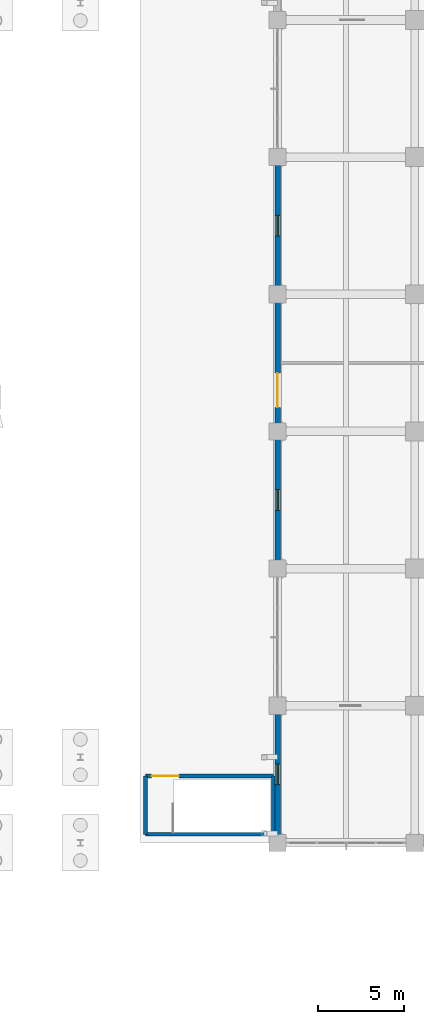
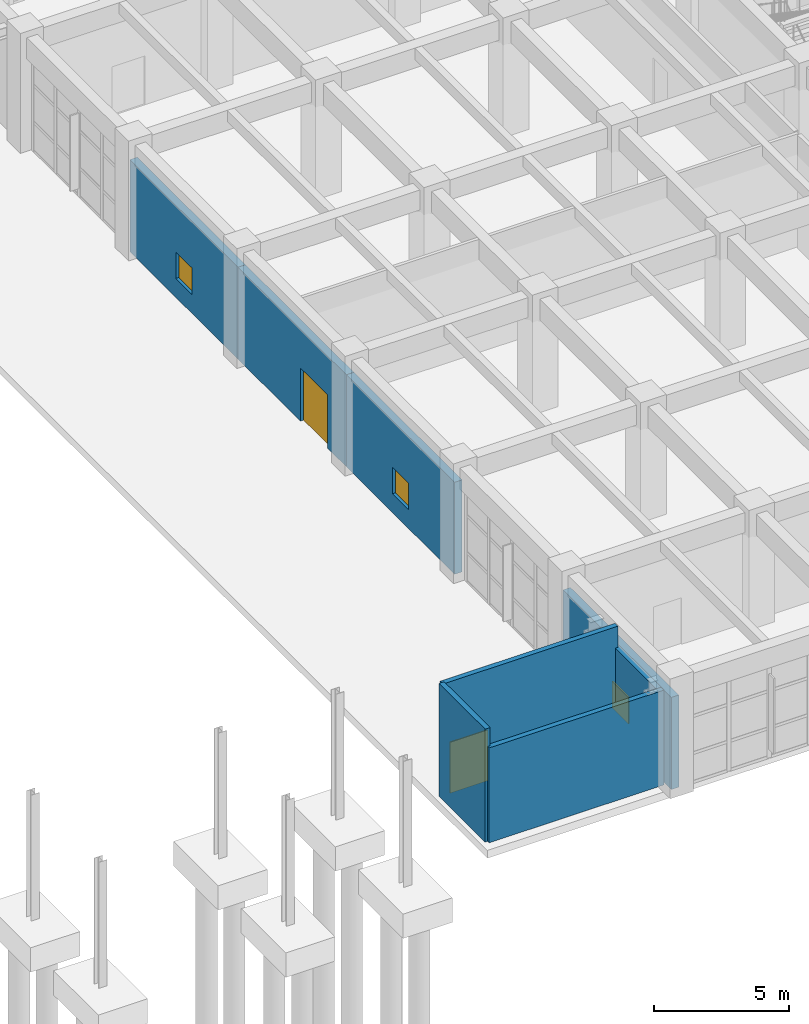
# One storey, part 73 of 90: 8 walls, 3 windows, 2 doors, 5 openings.
"""IFC4 building model written with IfcOpenShell, lengths in metres."""

from ifc_helpers import new_model, si_unit, direction, frame, frame_2d, origin, place, context, subcontext, project, spatial, rectangle, extrude, material, layer, layer_set, type_object, element, fill, save


model = new_model("IFC4")

# Units and contexts
model_context = context("Model", 3, precision=1e-05, world=origin(), true_north=direction((0.0, 1.0)))
body_context = subcontext(model_context, "Body", "Model", "MODEL_VIEW")
ifc_project = project(units=[si_unit("LENGTHUNIT", "METRE"), si_unit("AREAUNIT", "SQUARE_METRE"), si_unit("VOLUMEUNIT", "CUBIC_METRE"), si_unit("PLANEANGLEUNIT", "RADIAN"), si_unit("MASSUNIT", "GRAM", prefix="KILO")], contexts=[model_context])

# Site, building, storey
site_placement = place(None, origin())
site = spatial("IfcSite", under=ifc_project, at=site_placement, CompositionType="ELEMENT")
building_placement = place(site_placement, origin())
building = spatial("IfcBuilding", under=site, at=building_placement, Name="Canggui Botanical Conservatory", CompositionType="ELEMENT")
storey_placement = place(building_placement, origin())
storey = spatial("IfcBuildingStorey", under=building, at=storey_placement, Name="L01", CompositionType="ELEMENT", Elevation=0.0)

# Wall, opening, window
ifc_material_1 = material(Name="Precast Concrete C40", Category="concrete")
ifc_layer_1 = layer(ifc_material_1, 0.320068359375, Name="Precast Concrete C40", Category="concrete")
ifc_layer_set_1 = layer_set([ifc_layer_1], Name="Precast Concrete C40")
wall_type_1 = type_object("IfcWallType", Name="EW-320", PredefinedType="STANDARD", material=ifc_layer_set_1)
wall_1_placement = place(storey_placement, frame((130.0, 26.0, 0.0), z_axis=(0.0, 0.0, 1.0), x_axis=(0.0, 1.0, 0.0)))
wall_1 = element("IfcWall", 1, at=wall_1_placement, inside=storey, type_object=wall_type_1, Name="Tower Insulated Exterior Wall L01-W4", PredefinedType="STANDARD", context=body_context, shape_type="SweptSolid", body=[
    extrude(rectangle(XDim=8.0, YDim=0.320068359375, at=frame_2d((4.0, 0.0))), origin(), (0.0, 0.0, 1.0), 4.14990234375),
])
opening_1_placement = place(wall_1_placement, frame((3.39990234375, 0.0, 0.85009765625)))
opening_1 = element("IfcOpeningElement", 2, at=opening_1_placement, cuts=wall_1, Name="Opening W-06", PredefinedType="OPENING", context=body_context, shape_type="SweptSolid", body=[
    extrude(rectangle(XDim=1.199951171875, YDim=1.199951171875, at=frame_2d((0.60009765625, 0.60009765625))), frame((0.0, 0.169921875, 0.0), z_axis=(0.0, -1.0, 0.0), x_axis=(1.0, 0.0, 0.0)), (0.0, 0.0, 1.0), 0.340087890625),
])
ifc_material_2 = material(Name="Low-E Insulated Glass", Category="glass")
window_type = type_object("IfcWindowType", Name="WIN-06", PartitioningType="SINGLE_PANEL", PredefinedType="WINDOW", material=ifc_material_2)
window_1_placement = place(opening_1_placement, origin())
window_1 = element("IfcWindow", 3, at=window_1_placement, inside=storey, type_object=window_type, Name="Tower Firefighter Rescue Window L01-4", OverallHeight=1.199951171875, OverallWidth=1.199951171875, PartitioningType="SINGLE_PANEL", PredefinedType="WINDOW", context=body_context, shape_type="SweptSolid", body=[
    extrude(rectangle(XDim=1.199951171875, YDim=1.199951171875, at=frame_2d((0.60009765625, 0.60009765625))), frame((0.0, 0.030029296875, 0.0), z_axis=(0.0, -1.0, 0.0), x_axis=(1.0, 0.0, 0.0)), (0.0, 0.0, 1.0), 0.06005859375),
])
fill(opening_1, window_1)

wall_2_placement = place(storey_placement, frame((130.0, 42.0, 0.0), z_axis=(0.0, 0.0, 1.0), x_axis=(0.0, 1.0, 0.0)))
wall_2 = element("IfcWall", 4, at=wall_2_placement, inside=storey, type_object=wall_type_1, Name="Tower Insulated Exterior Wall L01-W6", PredefinedType="STANDARD", context=body_context, shape_type="SweptSolid", body=[
    extrude(rectangle(XDim=8.0, YDim=0.320068359375, at=frame_2d((4.0, 0.0))), origin(), (0.0, 0.0, 1.0), 4.14990234375),
])
opening_2_placement = place(wall_2_placement, frame((3.39990234375, 0.0, 0.85009765625)))
opening_2 = element("IfcOpeningElement", 5, at=opening_2_placement, cuts=wall_2, Name="Opening W-06", PredefinedType="OPENING", context=body_context, shape_type="SweptSolid", body=[
    extrude(rectangle(XDim=1.199951171875, YDim=1.199951171875, at=frame_2d((0.60009765625, 0.60009765625))), frame((0.0, 0.169921875, 0.0), z_axis=(0.0, -1.0, 0.0), x_axis=(1.0, 0.0, 0.0)), (0.0, 0.0, 1.0), 0.340087890625),
])
window_2_placement = place(opening_2_placement, origin())
window_2 = element("IfcWindow", 6, at=window_2_placement, inside=storey, type_object=window_type, Name="Tower Firefighter Rescue Window L01-6", OverallHeight=1.199951171875, OverallWidth=1.199951171875, PartitioningType="SINGLE_PANEL", PredefinedType="WINDOW", context=body_context, shape_type="SweptSolid", body=[
    extrude(rectangle(XDim=1.199951171875, YDim=1.199951171875, at=frame_2d((0.60009765625, 0.60009765625))), frame((0.0, 0.030029296875, 0.0), z_axis=(0.0, -1.0, 0.0), x_axis=(1.0, 0.0, 0.0)), (0.0, 0.0, 1.0), 0.06005859375),
])
fill(opening_2, window_2)

# Wall, opening, door
wall_3_placement = place(storey_placement, frame((130.0, 50.0, 0.0), z_axis=(0.0, 0.0, 1.0), x_axis=(0.0, 1.0, 0.0)))
wall_3 = element("IfcWall", 7, at=wall_3_placement, inside=storey, type_object=wall_type_1, Name="Tower Insulated Exterior Wall L01-W7", PredefinedType="STANDARD", context=body_context, shape_type="SweptSolid", body=[
    extrude(rectangle(XDim=8.0, YDim=0.320068359375, at=frame_2d((4.0, 0.0))), origin(), (0.0, 0.0, 1.0), 4.14990234375),
])
opening_3_placement = place(wall_3_placement, frame((1.39990234375, 0.0, 0.0)))
opening_3 = element("IfcOpeningElement", 8, at=opening_3_placement, cuts=wall_3, Name="Opening EX-A", PredefinedType="OPENING", context=body_context, shape_type="SweptSolid", body=[
    extrude(rectangle(XDim=2.0, YDim=2.39990234375, at=frame_2d((1.0, 1.199951171875))), frame((0.0, 0.169921875, 0.0), z_axis=(0.0, -1.0, 0.0), x_axis=(1.0, 0.0, 0.0)), (0.0, 0.0, 1.0), 0.340087890625),
])
ifc_material_3 = material(Name="Anodised Aluminium", Category="aluminium")
door_type_1 = type_object("IfcDoorType", Name="EDR-EX20", OperationType="NOTDEFINED", PredefinedType="DOOR", material=ifc_material_3)
door_1_placement = place(opening_3_placement, origin())
door_1 = element("IfcDoor", 9, at=door_1_placement, inside=storey, type_object=door_type_1, Name="Tower Ground Pedestrian Exit Door EX-02", OperationType="DOUBLE_DOOR_SINGLE_SWING", OverallHeight=2.39990234375, OverallWidth=2.0, PredefinedType="DOOR", context=body_context, shape_type="SweptSolid", body=[
    extrude(rectangle(XDim=2.0, YDim=2.39990234375, at=frame_2d((1.0, 1.199951171875))), frame((0.0, 0.02490234375, 0.0), z_axis=(0.0, -1.0, 0.0), x_axis=(1.0, 0.0, 0.0)), (0.0, 0.0, 1.0), 0.050048828125),
])
fill(opening_3, door_1)

# Wall, opening, window
wall_4_placement = place(storey_placement, frame((130.0, 58.0, 0.0), z_axis=(0.0, 0.0, 1.0), x_axis=(0.0, 1.0, 0.0)))
wall_4 = element("IfcWall", 10, at=wall_4_placement, inside=storey, type_object=wall_type_1, Name="Tower Insulated Exterior Wall L01-W8", PredefinedType="STANDARD", context=body_context, shape_type="SweptSolid", body=[
    extrude(rectangle(XDim=8.0, YDim=0.320068359375, at=frame_2d((4.0, 0.0))), origin(), (0.0, 0.0, 1.0), 4.14990234375),
])
opening_4_placement = place(wall_4_placement, frame((3.39990234375, 0.0, 0.85009765625)))
opening_4 = element("IfcOpeningElement", 11, at=opening_4_placement, cuts=wall_4, Name="Opening W-06", PredefinedType="OPENING", context=body_context, shape_type="SweptSolid", body=[
    extrude(rectangle(XDim=1.199951171875, YDim=1.199951171875, at=frame_2d((0.60009765625, 0.60009765625))), frame((0.0, 0.169921875, 0.0), z_axis=(0.0, -1.0, 0.0), x_axis=(1.0, 0.0, 0.0)), (0.0, 0.0, 1.0), 0.340087890625),
])
window_3_placement = place(opening_4_placement, origin())
window_3 = element("IfcWindow", 12, at=window_3_placement, inside=storey, type_object=window_type, Name="Tower Firefighter Rescue Window L01-8", OverallHeight=1.199951171875, OverallWidth=1.199951171875, PartitioningType="SINGLE_PANEL", PredefinedType="WINDOW", context=body_context, shape_type="SweptSolid", body=[
    extrude(rectangle(XDim=1.199951171875, YDim=1.199951171875, at=frame_2d((0.60009765625, 0.60009765625))), frame((0.0, 0.030029296875, 0.0), z_axis=(0.0, -1.0, 0.0), x_axis=(1.0, 0.0, 0.0)), (0.0, 0.0, 1.0), 0.06005859375),
])
fill(opening_4, window_3)

# Wall, opening, door
ifc_material_4 = material(Name="Concrete C35", Category="concrete")
ifc_layer_2 = layer(ifc_material_4, 0.215087890625, Name="Concrete C35", Category="concrete")
ifc_layer_set_2 = layer_set([ifc_layer_2], Name="Concrete C35")
wall_type_2 = type_object("IfcWallType", Name="IW-SHAFT-215", PredefinedType="STANDARD", material=ifc_layer_set_2)
wall_5_placement = place(storey_placement, frame((122.300048828125, 29.89990234375, 0.0), z_axis=(0.0, 0.0, 1.0), x_axis=(1.0, 0.0, 0.0)))
wall_5 = element("IfcWall", 13, at=wall_5_placement, inside=storey, type_object=wall_type_2, Name="ST-G1 Shaft North Wall L01", PredefinedType="STANDARD", context=body_context, shape_type="SweptSolid", body=[
    extrude(rectangle(XDim=7.449951171875, YDim=0.215087890625, at=frame_2d((3.72509765625, 0.0))), origin(), (0.0, 0.0, 1.0), 5.10009765625),
])
opening_5_placement = place(wall_5_placement, frame((0.35009765625, 0.0, 0.0)))
opening_5 = element("IfcOpeningElement", 14, at=opening_5_placement, cuts=wall_5, Name="Opening EX-C", PredefinedType="OPENING", context=body_context, shape_type="SweptSolid", body=[
    extrude(rectangle(XDim=1.60009765625, YDim=2.300048828125, at=frame_2d((0.800048828125, 1.14990234375))), frame((0.0, 0.11767578125, 0.0), z_axis=(0.0, -1.0, 0.0), x_axis=(1.0, 0.0, 0.0)), (0.0, 0.0, 1.0), 0.235107421875),
])
door_type_2 = type_object("IfcDoorType", Name="EDR-EX16", OperationType="NOTDEFINED", PredefinedType="DOOR", material=ifc_material_3)
door_2_placement = place(opening_5_placement, origin())
door_2 = element("IfcDoor", 15, at=door_2_placement, inside=storey, type_object=door_type_2, Name="ST-G1 Courtyard Direct Exit Door L01", OperationType="DOUBLE_DOOR_SINGLE_SWING", OverallHeight=2.300048828125, OverallWidth=1.60009765625, PredefinedType="DOOR", context=body_context, shape_type="SweptSolid", body=[
    extrude(rectangle(XDim=1.60009765625, YDim=2.300048828125, at=frame_2d((0.800048828125, 1.14990234375))), frame((0.0, 0.02490234375, 0.0), z_axis=(0.0, -1.0, 0.0), x_axis=(1.0, 0.0, 0.0)), (0.0, 0.0, 1.0), 0.050048828125),
])
fill(opening_5, door_2)

# Walls
wall_6_placement = place(storey_placement, frame((129.75, 26.550048828125, 0.0), z_axis=(0.0, 0.0, 1.0), x_axis=(0.0, 1.0, 0.0)))
element("IfcWall", 16, at=wall_6_placement, inside=storey, type_object=wall_type_2, Name="ST-G1 Shaft East Wall L01", PredefinedType="STANDARD", context=body_context, shape_type="SweptSolid", body=[
    extrude(rectangle(XDim=3.349853515625, YDim=0.215087890625, at=frame_2d((1.6748046875, 0.0))), origin(), (0.0, 0.0, 1.0), 4.14990234375),
])
wall_7_placement = place(storey_placement, frame((129.75, 26.5, 0.0), z_axis=(0.0, 0.0, 1.0), x_axis=(-1.0, 0.0, 0.0)))
element("IfcWall", 17, at=wall_7_placement, inside=storey, type_object=wall_type_2, Name="ST-G1 Shaft South Wall L01", PredefinedType="STANDARD", context=body_context, shape_type="SweptSolid", body=[
    extrude(rectangle(XDim=7.449951171875, YDim=0.215087890625, at=frame_2d((3.72509765625, 0.0))), origin(), (0.0, 0.0, 1.0), 4.280029296875),
])
wall_8_placement = place(storey_placement, frame((122.300048828125, 26.5, 0.0), z_axis=(0.0, 0.0, 1.0), x_axis=(0.0, 1.0, 0.0)))
element("IfcWall", 18, at=wall_8_placement, inside=storey, type_object=wall_type_2, Name="ST-G1 Headhouse West Wall", PredefinedType="STANDARD", context=body_context, shape_type="SweptSolid", body=[
    extrude(rectangle(XDim=3.39990234375, YDim=0.215087890625, at=frame_2d((1.699951171875, 0.0))), origin(), (0.0, 0.0, 1.0), 5.10009765625),
])

save(model, "model.ifc")
